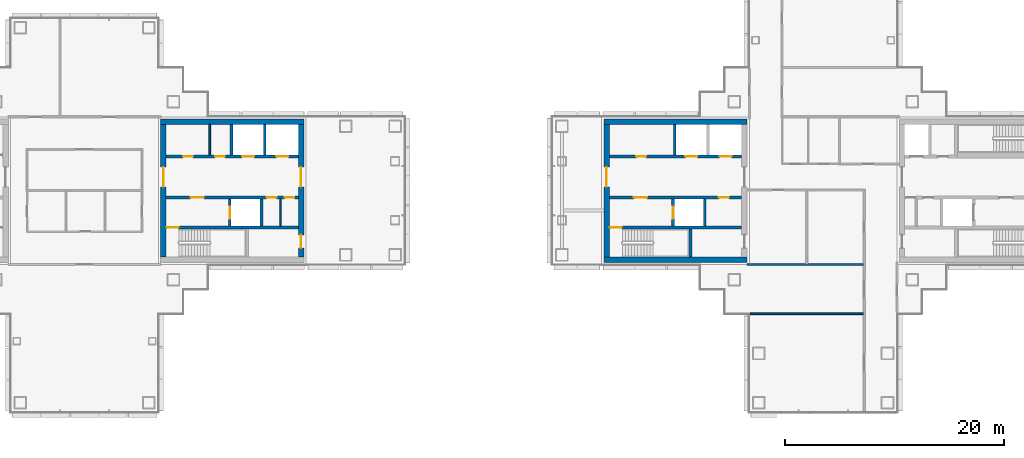
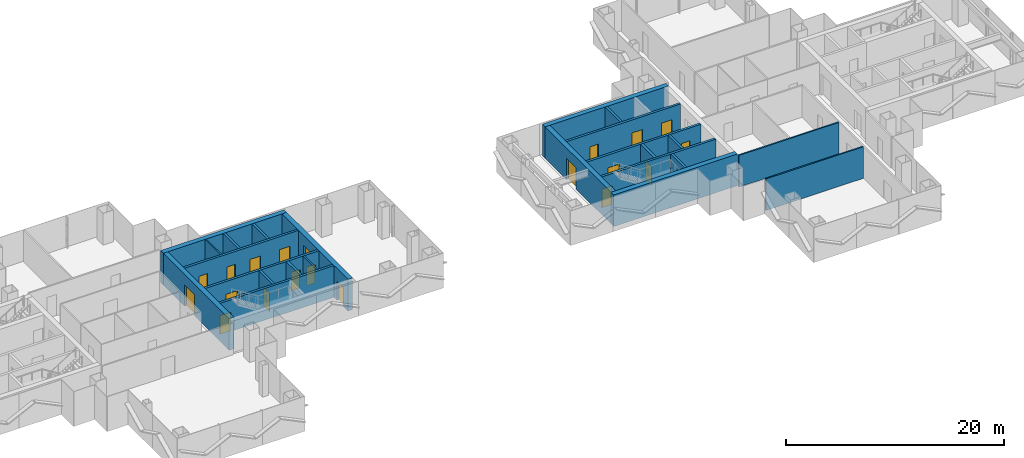
# One storey, part 10 of 16: 24 walls, 20 doors, 20 openings.
"""IFC4 building model written with IfcOpenShell, lengths in metres."""

from ifc_helpers import new_model, si_unit, direction, frame, frame_2d, origin, place, context, subcontext, project, spatial, rectangle, extrude, material, layer, layer_set, type_object, element, fill, save


model = new_model("IFC4")

# Units and contexts
model_context = context("Model", 3, precision=1e-05, world=origin(), true_north=direction((0.0, 1.0)))
body_context = subcontext(model_context, "Body", "Model", "MODEL_VIEW")
ifc_project = project(units=[si_unit("LENGTHUNIT", "METRE"), si_unit("AREAUNIT", "SQUARE_METRE"), si_unit("VOLUMEUNIT", "CUBIC_METRE"), si_unit("PLANEANGLEUNIT", "RADIAN"), si_unit("MASSUNIT", "GRAM", prefix="KILO")], contexts=[model_context])

# Site, building, storey
site_placement = place(None, origin())
site = spatial("IfcSite", under=ifc_project, at=site_placement, CompositionType="ELEMENT")
building_placement = place(site_placement, origin())
building = spatial("IfcBuilding", under=site, at=building_placement, Name="Shamsa Quay Exchange Towers", CompositionType="ELEMENT")
storey_placement = place(building_placement, frame((0.0, 0.0, 166.199951171875)))
storey = spatial("IfcBuildingStorey", under=building, at=storey_placement, Name="L39", CompositionType="ELEMENT", Elevation=166.199951171875)

# Wall
ifc_material_1 = material(Name="Concrete C60/75", Category="concrete")
ifc_layer_1 = layer(ifc_material_1, 0.5)
ifc_layer_set_1 = layer_set([ifc_layer_1], Name="CORE WALL 500 C60/75")
wall_type_1 = type_object("IfcWallType", Name="CORE WALL 500 C60/75", PredefinedType="SHEAR", material=ifc_layer_set_1)
wall_1_placement = place(storey_placement, frame((-26.800048828125, 6.300048828125, 0.0)))
element("IfcWall", 1, at=wall_1_placement, inside=storey, type_object=wall_type_1, Name="Core wall T1A-R18-PN", PredefinedType="SHEAR", context=body_context, shape_type="SweptSolid", body=[
    extrude(rectangle(XDim=13.10009765625, YDim=0.5, at=frame_2d((6.550048828125, 0.0))), origin(), (0.0, 0.0, 1.0), 3.550048828125),
])

# Wall, opening, door
wall_2_placement = place(storey_placement, frame((-26.550048828125, 6.050048828125, 0.0), z_axis=(0.0, 0.0, 1.0), x_axis=(0.0, -1.0, 0.0)))
wall_2 = element("IfcWall", 2, at=wall_2_placement, inside=storey, type_object=wall_type_1, Name="Core wall T1A-R18-PF", PredefinedType="SHEAR", context=body_context, shape_type="SweptSolid", body=[
    extrude(rectangle(XDim=12.10009765625, YDim=0.5, at=frame_2d((6.050048828125, 0.0))), origin(), (0.0, 0.0, 1.0), 3.550048828125),
])
opening_1_placement = place(wall_2_placement, frame((3.89990234375, 0.0, 0.0)))
opening_1 = element("IfcOpeningElement", 3, at=opening_1_placement, cuts=wall_2, Name="Opening T1A-R18-LBD01", PredefinedType="OPENING", context=body_context, shape_type="SweptSolid", body=[
    extrude(rectangle(XDim=1.800048828125, YDim=2.39990234375, at=frame_2d((0.89990234375, 1.199951171875))), frame((0.0, 0.260009765625, 0.0), z_axis=(0.0, -1.0, 0.0), x_axis=(1.0, 0.0, 0.0)), (0.0, 0.0, 1.0), 0.52001953125),
])
ifc_material_2 = material(Name="Steel, fire rated", Category="steel")
door_type_1 = type_object("IfcDoorType", Name="LIFT LOBBY DOOR PAIR 1800", OperationType="DOUBLE_DOOR_SINGLE_SWING", PredefinedType="DOOR", material=ifc_material_2)
door_1_placement = place(opening_1_placement, origin())
door_1 = element("IfcDoor", 4, at=door_1_placement, inside=storey, type_object=door_type_1, Name="T1A-R18-LBD01", OperationType="DOUBLE_DOOR_SINGLE_SWING", OverallHeight=2.39990234375, OverallWidth=1.800048828125, PredefinedType="DOOR", context=body_context, shape_type="SweptSolid", body=[
    extrude(rectangle(XDim=1.800048828125, YDim=2.39990234375, at=frame_2d((0.89990234375, 1.199951171875))), frame((0.0, 0.02490234375, 0.0), z_axis=(0.0, -1.0, 0.0), x_axis=(1.0, 0.0, 0.0)), (0.0, 0.0, 1.0), 0.050048828125),
])
fill(opening_1, door_1)

# Wall, openings, doors
wall_3_placement = place(storey_placement, frame((-13.949951171875, 6.050048828125, 0.0), z_axis=(0.0, 0.0, 1.0), x_axis=(0.0, -1.0, 0.0)))
wall_3 = element("IfcWall", 5, at=wall_3_placement, inside=storey, type_object=wall_type_1, Name="Core wall T1A-R18-PB", PredefinedType="SHEAR", context=body_context, shape_type="SweptSolid", body=[
    extrude(rectangle(XDim=12.10009765625, YDim=0.5, at=frame_2d((6.050048828125, 0.0))), origin(), (0.0, 0.0, 1.0), 3.550048828125),
])
opening_2_placement = place(wall_3_placement, frame((10.10009765625, 0.0, 0.0)))
opening_2 = element("IfcOpeningElement", 6, at=opening_2_placement, cuts=wall_3, Name="Opening T1A-R18-RD02", PredefinedType="OPENING", context=body_context, shape_type="SweptSolid", body=[
    extrude(rectangle(XDim=1.199951171875, YDim=2.10009765625, at=frame_2d((0.60009765625, 1.050048828125))), frame((0.0, 0.260009765625, 0.0), z_axis=(0.0, -1.0, 0.0), x_axis=(1.0, 0.0, 0.0)), (0.0, 0.0, 1.0), 0.52001953125),
])
opening_3_placement = place(wall_3_placement, frame((3.89990234375, 0.0, 0.0)))
opening_3 = element("IfcOpeningElement", 7, at=opening_3_placement, cuts=wall_3, Name="Opening T1A-R18-LBD03", PredefinedType="OPENING", context=body_context, shape_type="SweptSolid", body=[
    extrude(rectangle(XDim=1.800048828125, YDim=2.39990234375, at=frame_2d((0.89990234375, 1.199951171875))), frame((0.0, 0.260009765625, 0.0), z_axis=(0.0, -1.0, 0.0), x_axis=(1.0, 0.0, 0.0)), (0.0, 0.0, 1.0), 0.52001953125),
])
door_2_placement = place(opening_3_placement, origin())
door_2 = element("IfcDoor", 8, at=door_2_placement, inside=storey, type_object=door_type_1, Name="T1A-R18-LBD03", OperationType="DOUBLE_DOOR_SINGLE_SWING", OverallHeight=2.39990234375, OverallWidth=1.800048828125, PredefinedType="DOOR", context=body_context, shape_type="SweptSolid", body=[
    extrude(rectangle(XDim=1.800048828125, YDim=2.39990234375, at=frame_2d((0.89990234375, 1.199951171875))), frame((0.0, 0.02490234375, 0.0), z_axis=(0.0, -1.0, 0.0), x_axis=(1.0, 0.0, 0.0)), (0.0, 0.0, 1.0), 0.050048828125),
])
fill(opening_3, door_2)
door_type_2 = type_object("IfcDoorType", Name="RISER ACCESS DOOR 1200", OperationType="SINGLE_SWING_LEFT", PredefinedType="DOOR", material=ifc_material_2)
door_3_placement = place(opening_2_placement, origin())
door_3 = element("IfcDoor", 9, at=door_3_placement, inside=storey, type_object=door_type_2, Name="T1A-R18-RD02", OperationType="SINGLE_SWING_RIGHT", OverallHeight=2.10009765625, OverallWidth=1.199951171875, PredefinedType="DOOR", context=body_context, shape_type="SweptSolid", body=[
    extrude(rectangle(XDim=1.199951171875, YDim=2.10009765625, at=frame_2d((0.60009765625, 1.050048828125))), frame((0.0, 0.02490234375, 0.0), z_axis=(0.0, -1.0, 0.0), x_axis=(1.0, 0.0, 0.0)), (0.0, 0.0, 1.0), 0.050048828125),
])
fill(opening_2, door_3)

# Walls
for number, where, name in (
    (10, (13.699951171875, -6.300048828125, 0.0), "Core wall T2A-R18-PS"),
    (11, (13.699951171875, 6.300048828125, 0.0), "Core wall T2A-R18-PN"),
):
    element("IfcWall", number, at=place(storey_placement, frame(where)), inside=storey, type_object=wall_type_1, Name=name, PredefinedType="SHEAR", context=body_context, shape_type="SweptSolid", body=[
        extrude(rectangle(XDim=13.10009765625, YDim=0.5, at=frame_2d((6.550048828125, 0.0))), origin(), (0.0, 0.0, 1.0), 3.550048828125),
    ])

# Wall, opening, door
wall_4_placement = place(storey_placement, frame((13.949951171875, 6.050048828125, 0.0), z_axis=(0.0, 0.0, 1.0), x_axis=(0.0, -1.0, 0.0)))
wall_4 = element("IfcWall", 12, at=wall_4_placement, inside=storey, type_object=wall_type_1, Name="Core wall T2A-R18-PF", PredefinedType="SHEAR", context=body_context, shape_type="SweptSolid", body=[
    extrude(rectangle(XDim=12.10009765625, YDim=0.5, at=frame_2d((6.050048828125, 0.0))), origin(), (0.0, 0.0, 1.0), 3.550048828125),
])
opening_4_placement = place(wall_4_placement, frame((3.89990234375, 0.0, 0.0)))
opening_4 = element("IfcOpeningElement", 13, at=opening_4_placement, cuts=wall_4, Name="Opening T2A-R18-LBD01", PredefinedType="OPENING", context=body_context, shape_type="SweptSolid", body=[
    extrude(rectangle(XDim=1.800048828125, YDim=2.39990234375, at=frame_2d((0.89990234375, 1.199951171875))), frame((0.0, 0.260009765625, 0.0), z_axis=(0.0, -1.0, 0.0), x_axis=(1.0, 0.0, 0.0)), (0.0, 0.0, 1.0), 0.52001953125),
])
door_4_placement = place(opening_4_placement, origin())
door_4 = element("IfcDoor", 14, at=door_4_placement, inside=storey, type_object=door_type_1, Name="T2A-R18-LBD01", OperationType="DOUBLE_DOOR_SINGLE_SWING", OverallHeight=2.39990234375, OverallWidth=1.800048828125, PredefinedType="DOOR", context=body_context, shape_type="SweptSolid", body=[
    extrude(rectangle(XDim=1.800048828125, YDim=2.39990234375, at=frame_2d((0.89990234375, 1.199951171875))), frame((0.0, 0.02490234375, 0.0), z_axis=(0.0, -1.0, 0.0), x_axis=(1.0, 0.0, 0.0)), (0.0, 0.0, 1.0), 0.050048828125),
])
fill(opening_4, door_4)

# Walls
ifc_material_3 = material(Name="Gypsum board on steel studs, EI 60", Category="steel")
ifc_layer_2 = layer(ifc_material_3, 0.14990234375)
ifc_layer_set_2 = layer_set([ifc_layer_2], Name="FIRE PARTITION 150")
wall_type_2 = type_object("IfcWallType", Name="FIRE PARTITION 150", PredefinedType="PARTITIONING", material=ifc_layer_set_2)
wall_5_placement = place(storey_placement, frame((-15.85009765625, -3.25, 0.0), z_axis=(0.0, 0.0, 1.0), x_axis=(0.0, 1.0, 0.0)))
element("IfcWall", 15, at=wall_5_placement, inside=storey, type_object=wall_type_2, Name="Partition T1A-R18-EC0", PredefinedType="PARTITIONING", context=body_context, shape_type="SweptSolid", body=[
    extrude(rectangle(XDim=2.5, YDim=0.14990234375, at=frame_2d((1.25, 0.0))), origin(), (0.0, 0.0, 1.0), 3.550048828125),
])
wall_6_placement = place(storey_placement, frame((-22.300048828125, 3.25, 0.0), z_axis=(0.0, 0.0, 1.0), x_axis=(0.0, 1.0, 0.0)))
element("IfcWall", 16, at=wall_6_placement, inside=storey, type_object=wall_type_2, Name="Partition T1A-R18-FC0", PredefinedType="PARTITIONING", context=body_context, shape_type="SweptSolid", body=[
    extrude(rectangle(XDim=2.800048828125, YDim=0.14990234375, at=frame_2d((1.39990234375, 0.0))), origin(), (0.0, 0.0, 1.0), 3.550048828125),
])
ifc_material_4 = material(Name="Gypsum board partition on metal studs")
ifc_layer_3 = layer(ifc_material_4, 0.14990234375)
ifc_layer_set_3 = layer_set([ifc_layer_3], Name="Partition 150 mm EI 60")
wall_type_3 = type_object("IfcWallType", Name="Partition 150 mm EI 60", PredefinedType="PARTITIONING", material=ifc_layer_set_3)
wall_7_placement = place(storey_placement, frame((27.094970703125, -11.25, 0.0)))
element("IfcWall", 17, at=wall_7_placement, inside=storey, type_object=wall_type_3, Name="Partition T2-R18-W13", PredefinedType="PARTITIONING", context=body_context, shape_type="SweptSolid", body=[
    extrude(rectangle(XDim=10.330078125, YDim=0.14990234375, at=frame_2d((5.1650390625, 0.0))), origin(), (0.0, 0.0, 1.0), 3.550048828125),
])
wall_8_placement = place(storey_placement, frame((37.425048828125, -6.75, 0.0), z_axis=(0.0, 0.0, 1.0), x_axis=(-1.0, 0.0, 0.0)))
element("IfcWall", 18, at=wall_8_placement, inside=storey, type_object=wall_type_3, Name="Partition T2-R18-W14", PredefinedType="PARTITIONING", context=body_context, shape_type="SweptSolid", body=[
    extrude(rectangle(XDim=10.625, YDim=0.14990234375, at=frame_2d((5.3125, 0.0))), origin(), (0.0, 0.0, 1.0), 3.550048828125),
])

# Wall, opening, door
ifc_material_5 = material(Name="Concrete C50/60", Category="concrete")
ifc_layer_4 = layer(ifc_material_5, 0.25)
ifc_layer_set_4 = layer_set([ifc_layer_4], Name="SHAFT WALL 250 C50/60")
wall_type_4 = type_object("IfcWallType", Name="SHAFT WALL 250 C50/60", PredefinedType="SHEAR", material=ifc_layer_set_4)
wall_9_placement = place(storey_placement, frame((-14.199951171875, -3.375, 0.0), z_axis=(0.0, 0.0, 1.0), x_axis=(-1.0, 0.0, 0.0)))
wall_9 = element("IfcWall", 19, at=wall_9_placement, inside=storey, type_object=wall_type_4, Name="Shaft wall T1A-R18-STL", PredefinedType="SHEAR", context=body_context, shape_type="SweptSolid", body=[
    extrude(rectangle(XDim=12.10009765625, YDim=0.25, at=frame_2d((6.050048828125, 0.0))), origin(), (0.0, 0.0, 1.0), 3.550048828125),
])
opening_5_placement = place(wall_9_placement, frame((10.949951171875, 0.0, 0.0)))
opening_5 = element("IfcOpeningElement", 20, at=opening_5_placement, cuts=wall_9, Name="Opening T1A-R18-SD04", PredefinedType="OPENING", context=body_context, shape_type="SweptSolid", body=[
    extrude(rectangle(XDim=1.10009765625, YDim=2.10009765625, at=frame_2d((0.550048828125, 1.050048828125))), frame((0.0, 0.135009765625, 0.0), z_axis=(0.0, -1.0, 0.0), x_axis=(1.0, 0.0, 0.0)), (0.0, 0.0, 1.0), 0.27001953125),
])
door_type_3 = type_object("IfcDoorType", Name="STAIR DOOR 1100", OperationType="SINGLE_SWING_LEFT", PredefinedType="DOOR", material=ifc_material_2)
door_5_placement = place(opening_5_placement, origin())
door_5 = element("IfcDoor", 21, at=door_5_placement, inside=storey, type_object=door_type_3, Name="T1A-R18-SD04", OperationType="SINGLE_SWING_RIGHT", OverallHeight=2.10009765625, OverallWidth=1.10009765625, PredefinedType="DOOR", context=body_context, shape_type="SweptSolid", body=[
    extrude(rectangle(XDim=1.10009765625, YDim=2.10009765625, at=frame_2d((0.550048828125, 1.050048828125))), frame((0.0, 0.02490234375, 0.0), z_axis=(0.0, -1.0, 0.0), x_axis=(1.0, 0.0, 0.0)), (0.0, 0.0, 1.0), 0.050048828125),
])
fill(opening_5, door_5)

# Wall, openings, doors
wall_10_placement = place(storey_placement, frame((-14.199951171875, -0.625, 0.0), z_axis=(0.0, 0.0, 1.0), x_axis=(-1.0, 0.0, 0.0)))
wall_10 = element("IfcWall", 22, at=wall_10_placement, inside=storey, type_object=wall_type_4, Name="Shaft wall T1A-R18-B", PredefinedType="SHEAR", context=body_context, shape_type="SweptSolid", body=[
    extrude(rectangle(XDim=12.10009765625, YDim=0.25, at=frame_2d((6.050048828125, 0.0))), origin(), (0.0, 0.0, 1.0), 3.550048828125),
])
opening_6_placement = place(wall_10_placement, frame((8.64990234375, 0.0, 0.0)))
opening_6 = element("IfcOpeningElement", 23, at=opening_6_placement, cuts=wall_10, Name="Opening T1A-R18-FD05", PredefinedType="OPENING", context=body_context, shape_type="SweptSolid", body=[
    extrude(rectangle(XDim=1.199951171875, YDim=2.10009765625, at=frame_2d((0.60009765625, 1.050048828125))), frame((0.0, 0.135009765625, 0.0), z_axis=(0.0, -1.0, 0.0), x_axis=(1.0, 0.0, 0.0)), (0.0, 0.0, 1.0), 0.27001953125),
])
opening_7_placement = place(wall_10_placement, frame((2.0, 0.0, 0.0)))
opening_7 = element("IfcOpeningElement", 24, at=opening_7_placement, cuts=wall_10, Name="Opening T1A-R18-SV06", PredefinedType="OPENING", context=body_context, shape_type="SweptSolid", body=[
    extrude(rectangle(XDim=0.89990234375, YDim=2.10009765625, at=frame_2d((0.449951171875, 1.050048828125))), frame((0.0, 0.135009765625, 0.0), z_axis=(0.0, -1.0, 0.0), x_axis=(1.0, 0.0, 0.0)), (0.0, 0.0, 1.0), 0.27001953125),
])
opening_8_placement = place(wall_10_placement, frame((0.375, 0.0, 0.0)))
opening_8 = element("IfcOpeningElement", 25, at=opening_8_placement, cuts=wall_10, Name="Opening T1A-R18-SV07", PredefinedType="OPENING", context=body_context, shape_type="SweptSolid", body=[
    extrude(rectangle(XDim=0.89990234375, YDim=2.10009765625, at=frame_2d((0.449951171875, 1.050048828125))), frame((0.0, 0.135009765625, 0.0), z_axis=(0.0, -1.0, 0.0), x_axis=(1.0, 0.0, 0.0)), (0.0, 0.0, 1.0), 0.27001953125),
])
door_type_4 = type_object("IfcDoorType", Name="FIRE SERVICE LOBBY DOOR 1200", OperationType="SINGLE_SWING_LEFT", PredefinedType="DOOR", material=ifc_material_2)
door_6_placement = place(opening_6_placement, origin())
door_6 = element("IfcDoor", 26, at=door_6_placement, inside=storey, type_object=door_type_4, Name="T1A-R18-FD05", OperationType="SINGLE_SWING_RIGHT", OverallHeight=2.10009765625, OverallWidth=1.199951171875, PredefinedType="DOOR", context=body_context, shape_type="SweptSolid", body=[
    extrude(rectangle(XDim=1.199951171875, YDim=2.10009765625, at=frame_2d((0.60009765625, 1.050048828125))), frame((0.0, 0.02490234375, 0.0), z_axis=(0.0, -1.0, 0.0), x_axis=(1.0, 0.0, 0.0)), (0.0, 0.0, 1.0), 0.050048828125),
])
fill(opening_6, door_6)
door_type_5 = type_object("IfcDoorType", Name="SERVICE ROOM DOOR 900", OperationType="SINGLE_SWING_LEFT", PredefinedType="DOOR", material=ifc_material_2)
door_7_placement = place(opening_7_placement, origin())
door_7 = element("IfcDoor", 27, at=door_7_placement, inside=storey, type_object=door_type_5, Name="T1A-R18-SV06", OperationType="SINGLE_SWING_LEFT", OverallHeight=2.10009765625, OverallWidth=0.89990234375, PredefinedType="DOOR", context=body_context, shape_type="SweptSolid", body=[
    extrude(rectangle(XDim=0.89990234375, YDim=2.10009765625, at=frame_2d((0.449951171875, 1.050048828125))), frame((0.0, 0.02490234375, 0.0), z_axis=(0.0, -1.0, 0.0), x_axis=(1.0, 0.0, 0.0)), (0.0, 0.0, 1.0), 0.050048828125),
])
fill(opening_7, door_7)
door_8_placement = place(opening_8_placement, origin())
door_8 = element("IfcDoor", 28, at=door_8_placement, inside=storey, type_object=door_type_5, Name="T1A-R18-SV07", OperationType="SINGLE_SWING_LEFT", OverallHeight=2.10009765625, OverallWidth=0.89990234375, PredefinedType="DOOR", context=body_context, shape_type="SweptSolid", body=[
    extrude(rectangle(XDim=0.89990234375, YDim=2.10009765625, at=frame_2d((0.449951171875, 1.050048828125))), frame((0.0, 0.02490234375, 0.0), z_axis=(0.0, -1.0, 0.0), x_axis=(1.0, 0.0, 0.0)), (0.0, 0.0, 1.0), 0.050048828125),
])
fill(opening_8, door_8)

# Wall, opening, door
wall_11_placement = place(storey_placement, frame((-20.47509765625, -3.25, 0.0), z_axis=(0.0, 0.0, 1.0), x_axis=(0.0, 1.0, 0.0)))
wall_11 = element("IfcWall", 29, at=wall_11_placement, inside=storey, type_object=wall_type_4, Name="Shaft wall T1A-R18-FFF", PredefinedType="SHEAR", context=body_context, shape_type="SweptSolid", body=[
    extrude(rectangle(XDim=2.5, YDim=0.25, at=frame_2d((1.25, 0.0))), origin(), (0.0, 0.0, 1.0), 3.550048828125),
])
opening_9_placement = place(wall_11_placement, frame((0.699951171875, 0.0, 0.0)))
opening_9 = element("IfcOpeningElement", 30, at=opening_9_placement, cuts=wall_11, Name="Opening T1A-R18-LDF08", PredefinedType="OPENING", context=body_context, shape_type="SweptSolid", body=[
    extrude(rectangle(XDim=1.10009765625, YDim=2.10009765625, at=frame_2d((0.550048828125, 1.050048828125))), frame((0.0, 0.135009765625, 0.0), z_axis=(0.0, -1.0, 0.0), x_axis=(1.0, 0.0, 0.0)), (0.0, 0.0, 1.0), 0.27001953125),
])
door_type_6 = type_object("IfcDoorType", Name="FIRE SERVICE LANDING DOOR 1100", OperationType="SLIDING_TO_LEFT", PredefinedType="DOOR", material=ifc_material_2)
door_9_placement = place(opening_9_placement, origin())
door_9 = element("IfcDoor", 31, at=door_9_placement, inside=storey, type_object=door_type_6, Name="T1A-R18-LDF08", OperationType="SLIDING_TO_LEFT", OverallHeight=2.10009765625, OverallWidth=1.10009765625, PredefinedType="DOOR", context=body_context, shape_type="SweptSolid", body=[
    extrude(rectangle(XDim=1.10009765625, YDim=2.10009765625, at=frame_2d((0.550048828125, 1.050048828125))), frame((0.0, 0.02490234375, 0.0), z_axis=(0.0, -1.0, 0.0), x_axis=(1.0, 0.0, 0.0)), (0.0, 0.0, 1.0), 0.050048828125),
])
fill(opening_9, door_9)

# Wall
wall_12_placement = place(storey_placement, frame((-17.574951171875, -3.25, 0.0), z_axis=(0.0, 0.0, 1.0), x_axis=(0.0, 1.0, 0.0)))
element("IfcWall", 32, at=wall_12_placement, inside=storey, type_object=wall_type_4, Name="Shaft wall T1A-R18-FFB", PredefinedType="SHEAR", context=body_context, shape_type="SweptSolid", body=[
    extrude(rectangle(XDim=2.5, YDim=0.25, at=frame_2d((1.25, 0.0))), origin(), (0.0, 0.0, 1.0), 3.550048828125),
])

# Wall, openings, doors
wall_13_placement = place(storey_placement, frame((-26.300048828125, 3.125, 0.0)))
wall_13 = element("IfcWall", 33, at=wall_13_placement, inside=storey, type_object=wall_type_4, Name="Shaft wall T1A-R18-N", PredefinedType="SHEAR", context=body_context, shape_type="SweptSolid", body=[
    extrude(rectangle(XDim=12.10009765625, YDim=0.25, at=frame_2d((6.050048828125, 0.0))), origin(), (0.0, 0.0, 1.0), 3.550048828125),
])
opening_10_placement = place(wall_13_placement, frame((6.949951171875, 0.0, 0.0)))
opening_10 = element("IfcOpeningElement", 34, at=opening_10_placement, cuts=wall_13, Name="Opening T1A-R18-LD09", PredefinedType="OPENING", context=body_context, shape_type="SweptSolid", body=[
    extrude(rectangle(XDim=1.10009765625, YDim=2.10009765625, at=frame_2d((0.550048828125, 1.050048828125))), frame((0.0, 0.135009765625, 0.0), z_axis=(0.0, -1.0, 0.0), x_axis=(1.0, 0.0, 0.0)), (0.0, 0.0, 1.0), 0.27001953125),
])
opening_11_placement = place(wall_13_placement, frame((10.074951171875, 0.0, 0.0)))
opening_11 = element("IfcOpeningElement", 35, at=opening_11_placement, cuts=wall_13, Name="Opening T1A-R18-LD10", PredefinedType="OPENING", context=body_context, shape_type="SweptSolid", body=[
    extrude(rectangle(XDim=1.10009765625, YDim=2.10009765625, at=frame_2d((0.550048828125, 1.050048828125))), frame((0.0, 0.135009765625, 0.0), z_axis=(0.0, -1.0, 0.0), x_axis=(1.0, 0.0, 0.0)), (0.0, 0.0, 1.0), 0.27001953125),
])
opening_12_placement = place(wall_13_placement, frame((1.550048828125, 0.0, 0.0)))
opening_12 = element("IfcOpeningElement", 36, at=opening_12_placement, cuts=wall_13, Name="Opening T1A-R18-SV11", PredefinedType="OPENING", context=body_context, shape_type="SweptSolid", body=[
    extrude(rectangle(XDim=0.89990234375, YDim=2.10009765625, at=frame_2d((0.449951171875, 1.050048828125))), frame((0.0, 0.135009765625, 0.0), z_axis=(0.0, -1.0, 0.0), x_axis=(1.0, 0.0, 0.0)), (0.0, 0.0, 1.0), 0.27001953125),
])
opening_13_placement = place(wall_13_placement, frame((4.47509765625, 0.0, 0.0)))
opening_13 = element("IfcOpeningElement", 37, at=opening_13_placement, cuts=wall_13, Name="Opening T1A-R18-SV12", PredefinedType="OPENING", context=body_context, shape_type="SweptSolid", body=[
    extrude(rectangle(XDim=0.89990234375, YDim=2.10009765625, at=frame_2d((0.449951171875, 1.050048828125))), frame((0.0, 0.135009765625, 0.0), z_axis=(0.0, -1.0, 0.0), x_axis=(1.0, 0.0, 0.0)), (0.0, 0.0, 1.0), 0.27001953125),
])
door_type_7 = type_object("IfcDoorType", Name="LANDING DOOR 1100", OperationType="SLIDING_TO_LEFT", PredefinedType="DOOR", material=ifc_material_2)
door_10_placement = place(opening_10_placement, origin())
door_10 = element("IfcDoor", 38, at=door_10_placement, inside=storey, type_object=door_type_7, Name="T1A-R18-LD09", OperationType="SLIDING_TO_LEFT", OverallHeight=2.10009765625, OverallWidth=1.10009765625, PredefinedType="DOOR", context=body_context, shape_type="SweptSolid", body=[
    extrude(rectangle(XDim=1.10009765625, YDim=2.10009765625, at=frame_2d((0.550048828125, 1.050048828125))), frame((0.0, 0.02490234375, 0.0), z_axis=(0.0, -1.0, 0.0), x_axis=(1.0, 0.0, 0.0)), (0.0, 0.0, 1.0), 0.050048828125),
])
fill(opening_10, door_10)
door_11_placement = place(opening_11_placement, origin())
door_11 = element("IfcDoor", 39, at=door_11_placement, inside=storey, type_object=door_type_7, Name="T1A-R18-LD10", OperationType="SLIDING_TO_LEFT", OverallHeight=2.10009765625, OverallWidth=1.10009765625, PredefinedType="DOOR", context=body_context, shape_type="SweptSolid", body=[
    extrude(rectangle(XDim=1.10009765625, YDim=2.10009765625, at=frame_2d((0.550048828125, 1.050048828125))), frame((0.0, 0.02490234375, 0.0), z_axis=(0.0, -1.0, 0.0), x_axis=(1.0, 0.0, 0.0)), (0.0, 0.0, 1.0), 0.050048828125),
])
fill(opening_11, door_11)
door_12_placement = place(opening_12_placement, origin())
door_12 = element("IfcDoor", 40, at=door_12_placement, inside=storey, type_object=door_type_5, Name="T1A-R18-SV11", OperationType="SINGLE_SWING_LEFT", OverallHeight=2.10009765625, OverallWidth=0.89990234375, PredefinedType="DOOR", context=body_context, shape_type="SweptSolid", body=[
    extrude(rectangle(XDim=0.89990234375, YDim=2.10009765625, at=frame_2d((0.449951171875, 1.050048828125))), frame((0.0, 0.02490234375, 0.0), z_axis=(0.0, -1.0, 0.0), x_axis=(1.0, 0.0, 0.0)), (0.0, 0.0, 1.0), 0.050048828125),
])
fill(opening_12, door_12)
door_13_placement = place(opening_13_placement, origin())
door_13 = element("IfcDoor", 41, at=door_13_placement, inside=storey, type_object=door_type_5, Name="T1A-R18-SV12", OperationType="SINGLE_SWING_LEFT", OverallHeight=2.10009765625, OverallWidth=0.89990234375, PredefinedType="DOOR", context=body_context, shape_type="SweptSolid", body=[
    extrude(rectangle(XDim=0.89990234375, YDim=2.10009765625, at=frame_2d((0.449951171875, 1.050048828125))), frame((0.0, 0.02490234375, 0.0), z_axis=(0.0, -1.0, 0.0), x_axis=(1.0, 0.0, 0.0)), (0.0, 0.0, 1.0), 0.050048828125),
])
fill(opening_13, door_13)

# Walls
for number, where, z_axis, x_axis, name in (
    (42, (-20.324951171875, 3.25, 0.0), (0.0, 0.0, 1.0), (0.0, 1.0, 0.0), "Shaft wall T1A-R18-D1"),
    (43, (-17.27490234375, 3.25, 0.0), (0.0, 0.0, 1.0), (0.0, 1.0, 0.0), "Shaft wall T1A-R18-D2"),
):
    element("IfcWall", number, at=place(storey_placement, frame(where, z_axis=z_axis, x_axis=x_axis)), inside=storey, type_object=wall_type_4, Name=name, PredefinedType="SHEAR", context=body_context, shape_type="SweptSolid", body=[
        extrude(rectangle(XDim=2.800048828125, YDim=0.25, at=frame_2d((1.39990234375, 0.0))), origin(), (0.0, 0.0, 1.0), 3.550048828125),
    ])

# Wall, opening, door
wall_14_placement = place(storey_placement, frame((26.300048828125, -3.375, 0.0), z_axis=(0.0, 0.0, 1.0), x_axis=(-1.0, 0.0, 0.0)))
wall_14 = element("IfcWall", 44, at=wall_14_placement, inside=storey, type_object=wall_type_4, Name="Shaft wall T2A-R18-STL", PredefinedType="SHEAR", context=body_context, shape_type="SweptSolid", body=[
    extrude(rectangle(XDim=12.10009765625, YDim=0.25, at=frame_2d((6.050048828125, 0.0))), origin(), (0.0, 0.0, 1.0), 3.550048828125),
])
opening_14_placement = place(wall_14_placement, frame((10.949951171875, 0.0, 0.0)))
opening_14 = element("IfcOpeningElement", 45, at=opening_14_placement, cuts=wall_14, Name="Opening T2A-R18-SD04", PredefinedType="OPENING", context=body_context, shape_type="SweptSolid", body=[
    extrude(rectangle(XDim=1.10009765625, YDim=2.10009765625, at=frame_2d((0.550048828125, 1.050048828125))), frame((0.0, 0.135009765625, 0.0), z_axis=(0.0, -1.0, 0.0), x_axis=(1.0, 0.0, 0.0)), (0.0, 0.0, 1.0), 0.27001953125),
])
door_14_placement = place(opening_14_placement, origin())
door_14 = element("IfcDoor", 46, at=door_14_placement, inside=storey, type_object=door_type_3, Name="T2A-R18-SD04", OperationType="SINGLE_SWING_RIGHT", OverallHeight=2.10009765625, OverallWidth=1.10009765625, PredefinedType="DOOR", context=body_context, shape_type="SweptSolid", body=[
    extrude(rectangle(XDim=1.10009765625, YDim=2.10009765625, at=frame_2d((0.550048828125, 1.050048828125))), frame((0.0, 0.02490234375, 0.0), z_axis=(0.0, -1.0, 0.0), x_axis=(1.0, 0.0, 0.0)), (0.0, 0.0, 1.0), 0.050048828125),
])
fill(opening_14, door_14)

# Wall
wall_15_placement = place(storey_placement, frame((21.625, -6.050048828125, 0.0), z_axis=(0.0, 0.0, 1.0), x_axis=(0.0, 1.0, 0.0)))
element("IfcWall", 47, at=wall_15_placement, inside=storey, type_object=wall_type_4, Name="Shaft wall T2A-R18-STF", PredefinedType="SHEAR", context=body_context, shape_type="SweptSolid", body=[
    extrude(rectangle(XDim=2.550048828125, YDim=0.25, at=frame_2d((1.27490234375, 0.0))), origin(), (0.0, 0.0, 1.0), 3.550048828125),
])

# Wall, openings, doors
wall_16_placement = place(storey_placement, frame((26.300048828125, -0.625, 0.0), z_axis=(0.0, 0.0, 1.0), x_axis=(-1.0, 0.0, 0.0)))
wall_16 = element("IfcWall", 48, at=wall_16_placement, inside=storey, type_object=wall_type_4, Name="Shaft wall T2A-R18-B", PredefinedType="SHEAR", context=body_context, shape_type="SweptSolid", body=[
    extrude(rectangle(XDim=12.10009765625, YDim=0.25, at=frame_2d((6.050048828125, 0.0))), origin(), (0.0, 0.0, 1.0), 3.550048828125),
])
opening_15_placement = place(wall_16_placement, frame((8.64990234375, 0.0, 0.0)))
opening_15 = element("IfcOpeningElement", 49, at=opening_15_placement, cuts=wall_16, Name="Opening T2A-R18-FD05", PredefinedType="OPENING", context=body_context, shape_type="SweptSolid", body=[
    extrude(rectangle(XDim=1.199951171875, YDim=2.10009765625, at=frame_2d((0.60009765625, 1.050048828125))), frame((0.0, 0.135009765625, 0.0), z_axis=(0.0, -1.0, 0.0), x_axis=(1.0, 0.0, 0.0)), (0.0, 0.0, 1.0), 0.27001953125),
])
opening_16_placement = place(wall_16_placement, frame((1.175048828125, 0.0, 0.0)))
opening_16 = element("IfcOpeningElement", 50, at=opening_16_placement, cuts=wall_16, Name="Opening T2A-R18-SV06", PredefinedType="OPENING", context=body_context, shape_type="SweptSolid", body=[
    extrude(rectangle(XDim=0.89990234375, YDim=2.10009765625, at=frame_2d((0.449951171875, 1.050048828125))), frame((0.0, 0.135009765625, 0.0), z_axis=(0.0, -1.0, 0.0), x_axis=(1.0, 0.0, 0.0)), (0.0, 0.0, 1.0), 0.27001953125),
])
door_15_placement = place(opening_15_placement, origin())
door_15 = element("IfcDoor", 51, at=door_15_placement, inside=storey, type_object=door_type_4, Name="T2A-R18-FD05", OperationType="SINGLE_SWING_RIGHT", OverallHeight=2.10009765625, OverallWidth=1.199951171875, PredefinedType="DOOR", context=body_context, shape_type="SweptSolid", body=[
    extrude(rectangle(XDim=1.199951171875, YDim=2.10009765625, at=frame_2d((0.60009765625, 1.050048828125))), frame((0.0, 0.02490234375, 0.0), z_axis=(0.0, -1.0, 0.0), x_axis=(1.0, 0.0, 0.0)), (0.0, 0.0, 1.0), 0.050048828125),
])
fill(opening_15, door_15)
door_16_placement = place(opening_16_placement, origin())
door_16 = element("IfcDoor", 52, at=door_16_placement, inside=storey, type_object=door_type_5, Name="T2A-R18-SV06", OperationType="SINGLE_SWING_LEFT", OverallHeight=2.10009765625, OverallWidth=0.89990234375, PredefinedType="DOOR", context=body_context, shape_type="SweptSolid", body=[
    extrude(rectangle(XDim=0.89990234375, YDim=2.10009765625, at=frame_2d((0.449951171875, 1.050048828125))), frame((0.0, 0.02490234375, 0.0), z_axis=(0.0, -1.0, 0.0), x_axis=(1.0, 0.0, 0.0)), (0.0, 0.0, 1.0), 0.050048828125),
])
fill(opening_16, door_16)

# Wall, opening, door
wall_17_placement = place(storey_placement, frame((20.02490234375, -3.25, 0.0), z_axis=(0.0, 0.0, 1.0), x_axis=(0.0, 1.0, 0.0)))
wall_17 = element("IfcWall", 53, at=wall_17_placement, inside=storey, type_object=wall_type_4, Name="Shaft wall T2A-R18-FFF", PredefinedType="SHEAR", context=body_context, shape_type="SweptSolid", body=[
    extrude(rectangle(XDim=2.5, YDim=0.25, at=frame_2d((1.25, 0.0))), origin(), (0.0, 0.0, 1.0), 3.550048828125),
])
opening_17_placement = place(wall_17_placement, frame((0.699951171875, 0.0, 0.0)))
opening_17 = element("IfcOpeningElement", 54, at=opening_17_placement, cuts=wall_17, Name="Opening T2A-R18-LDF07", PredefinedType="OPENING", context=body_context, shape_type="SweptSolid", body=[
    extrude(rectangle(XDim=1.10009765625, YDim=2.10009765625, at=frame_2d((0.550048828125, 1.050048828125))), frame((0.0, 0.135009765625, 0.0), z_axis=(0.0, -1.0, 0.0), x_axis=(1.0, 0.0, 0.0)), (0.0, 0.0, 1.0), 0.27001953125),
])
door_17_placement = place(opening_17_placement, origin())
door_17 = element("IfcDoor", 55, at=door_17_placement, inside=storey, type_object=door_type_6, Name="T2A-R18-LDF07", OperationType="SLIDING_TO_LEFT", OverallHeight=2.10009765625, OverallWidth=1.10009765625, PredefinedType="DOOR", context=body_context, shape_type="SweptSolid", body=[
    extrude(rectangle(XDim=1.10009765625, YDim=2.10009765625, at=frame_2d((0.550048828125, 1.050048828125))), frame((0.0, 0.02490234375, 0.0), z_axis=(0.0, -1.0, 0.0), x_axis=(1.0, 0.0, 0.0)), (0.0, 0.0, 1.0), 0.050048828125),
])
fill(opening_17, door_17)

# Wall
wall_18_placement = place(storey_placement, frame((22.925048828125, -3.25, 0.0), z_axis=(0.0, 0.0, 1.0), x_axis=(0.0, 1.0, 0.0)))
element("IfcWall", 56, at=wall_18_placement, inside=storey, type_object=wall_type_4, Name="Shaft wall T2A-R18-FFB", PredefinedType="SHEAR", context=body_context, shape_type="SweptSolid", body=[
    extrude(rectangle(XDim=2.5, YDim=0.25, at=frame_2d((1.25, 0.0))), origin(), (0.0, 0.0, 1.0), 3.550048828125),
])

# Wall, openings, doors
wall_19_placement = place(storey_placement, frame((14.199951171875, 3.125, 0.0)))
wall_19 = element("IfcWall", 57, at=wall_19_placement, inside=storey, type_object=wall_type_4, Name="Shaft wall T2A-R18-N", PredefinedType="SHEAR", context=body_context, shape_type="SweptSolid", body=[
    extrude(rectangle(XDim=12.10009765625, YDim=0.25, at=frame_2d((6.050048828125, 0.0))), origin(), (0.0, 0.0, 1.0), 3.550048828125),
])
opening_18_placement = place(wall_19_placement, frame((6.949951171875, 0.0, 0.0)))
opening_18 = element("IfcOpeningElement", 58, at=opening_18_placement, cuts=wall_19, Name="Opening T2A-R18-LD08", PredefinedType="OPENING", context=body_context, shape_type="SweptSolid", body=[
    extrude(rectangle(XDim=1.10009765625, YDim=2.10009765625, at=frame_2d((0.550048828125, 1.050048828125))), frame((0.0, 0.135009765625, 0.0), z_axis=(0.0, -1.0, 0.0), x_axis=(1.0, 0.0, 0.0)), (0.0, 0.0, 1.0), 0.27001953125),
])
opening_19_placement = place(wall_19_placement, frame((10.074951171875, 0.0, 0.0)))
opening_19 = element("IfcOpeningElement", 59, at=opening_19_placement, cuts=wall_19, Name="Opening T2A-R18-LD09", PredefinedType="OPENING", context=body_context, shape_type="SweptSolid", body=[
    extrude(rectangle(XDim=1.10009765625, YDim=2.10009765625, at=frame_2d((0.550048828125, 1.050048828125))), frame((0.0, 0.135009765625, 0.0), z_axis=(0.0, -1.0, 0.0), x_axis=(1.0, 0.0, 0.0)), (0.0, 0.0, 1.0), 0.27001953125),
])
opening_20_placement = place(wall_19_placement, frame((2.47509765625, 0.0, 0.0)))
opening_20 = element("IfcOpeningElement", 60, at=opening_20_placement, cuts=wall_19, Name="Opening T2A-R18-SV10", PredefinedType="OPENING", context=body_context, shape_type="SweptSolid", body=[
    extrude(rectangle(XDim=0.89990234375, YDim=2.10009765625, at=frame_2d((0.449951171875, 1.050048828125))), frame((0.0, 0.135009765625, 0.0), z_axis=(0.0, -1.0, 0.0), x_axis=(1.0, 0.0, 0.0)), (0.0, 0.0, 1.0), 0.27001953125),
])
door_18_placement = place(opening_18_placement, origin())
door_18 = element("IfcDoor", 61, at=door_18_placement, inside=storey, type_object=door_type_7, Name="T2A-R18-LD08", OperationType="SLIDING_TO_LEFT", OverallHeight=2.10009765625, OverallWidth=1.10009765625, PredefinedType="DOOR", context=body_context, shape_type="SweptSolid", body=[
    extrude(rectangle(XDim=1.10009765625, YDim=2.10009765625, at=frame_2d((0.550048828125, 1.050048828125))), frame((0.0, 0.02490234375, 0.0), z_axis=(0.0, -1.0, 0.0), x_axis=(1.0, 0.0, 0.0)), (0.0, 0.0, 1.0), 0.050048828125),
])
fill(opening_18, door_18)
door_19_placement = place(opening_19_placement, origin())
door_19 = element("IfcDoor", 62, at=door_19_placement, inside=storey, type_object=door_type_7, Name="T2A-R18-LD09", OperationType="SLIDING_TO_LEFT", OverallHeight=2.10009765625, OverallWidth=1.10009765625, PredefinedType="DOOR", context=body_context, shape_type="SweptSolid", body=[
    extrude(rectangle(XDim=1.10009765625, YDim=2.10009765625, at=frame_2d((0.550048828125, 1.050048828125))), frame((0.0, 0.02490234375, 0.0), z_axis=(0.0, -1.0, 0.0), x_axis=(1.0, 0.0, 0.0)), (0.0, 0.0, 1.0), 0.050048828125),
])
fill(opening_19, door_19)
door_20_placement = place(opening_20_placement, origin())
door_20 = element("IfcDoor", 63, at=door_20_placement, inside=storey, type_object=door_type_5, Name="T2A-R18-SV10", OperationType="SINGLE_SWING_LEFT", OverallHeight=2.10009765625, OverallWidth=0.89990234375, PredefinedType="DOOR", context=body_context, shape_type="SweptSolid", body=[
    extrude(rectangle(XDim=0.89990234375, YDim=2.10009765625, at=frame_2d((0.449951171875, 1.050048828125))), frame((0.0, 0.02490234375, 0.0), z_axis=(0.0, -1.0, 0.0), x_axis=(1.0, 0.0, 0.0)), (0.0, 0.0, 1.0), 0.050048828125),
])
fill(opening_20, door_20)

# Wall
wall_20_placement = place(storey_placement, frame((20.175048828125, 3.25, 0.0), z_axis=(0.0, 0.0, 1.0), x_axis=(0.0, 1.0, 0.0)))
element("IfcWall", 64, at=wall_20_placement, inside=storey, type_object=wall_type_4, Name="Shaft wall T2A-R18-D1", PredefinedType="SHEAR", context=body_context, shape_type="SweptSolid", body=[
    extrude(rectangle(XDim=2.800048828125, YDim=0.25, at=frame_2d((1.39990234375, 0.0))), origin(), (0.0, 0.0, 1.0), 3.550048828125),
])

save(model, "model.ifc")
